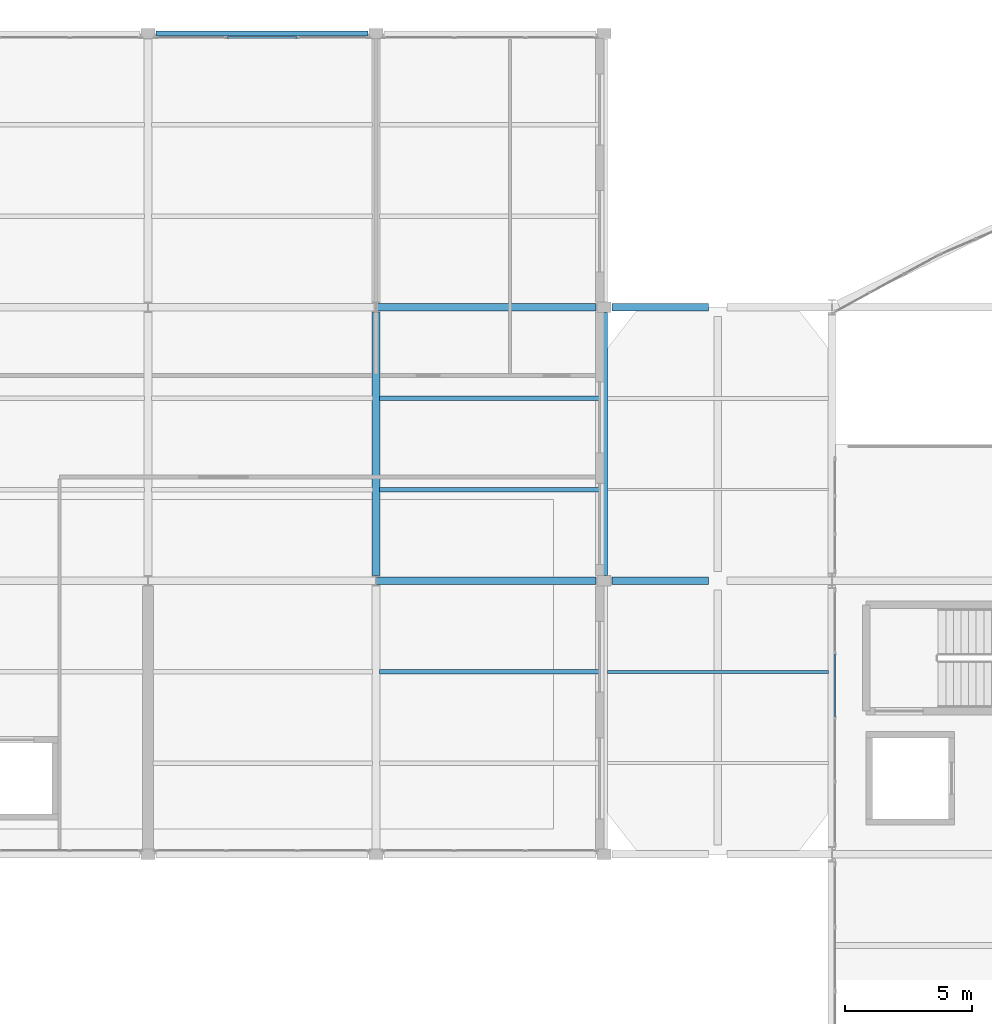
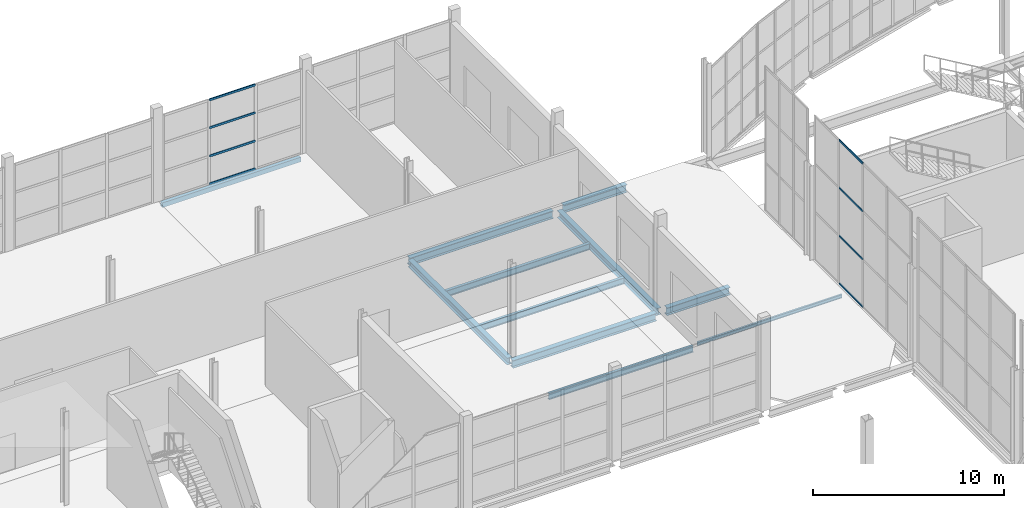
# One storey, part 93 of 191: 11 beams, 8 members, 2 elements without a shape of their own.
"""IFC4 building model written with IfcOpenShell, lengths in metres."""

from ifc_helpers import new_model, si_unit, direction, frame, origin, origin_2d, place, context, subcontext, project, spatial, hollow_rectangle, i_section, extrude, material, layer, layer_set, material_profile, profile_set, type_object, element, aggregate, save


model = new_model("IFC4")

# Units and contexts
model_context = context("Model", 3, precision=1e-05, world=origin(), true_north=direction((0.0, 1.0)))
body_context = subcontext(model_context, "Body", "Model", "MODEL_VIEW")
ifc_project = project(units=[si_unit("LENGTHUNIT", "METRE"), si_unit("AREAUNIT", "SQUARE_METRE"), si_unit("VOLUMEUNIT", "CUBIC_METRE"), si_unit("PLANEANGLEUNIT", "RADIAN"), si_unit("MASSUNIT", "GRAM", prefix="KILO")], contexts=[model_context])

# Site, building, storey
site_placement = place(None, origin())
site = spatial("IfcSite", under=ifc_project, at=site_placement, CompositionType="ELEMENT")
building_placement = place(site_placement, origin())
building = spatial("IfcBuilding", under=site, at=building_placement, Name="Tamarisk Ironworks Central Station", CompositionType="ELEMENT")
storey_placement = place(building_placement, frame((0.0, 0.0, 6.60009765625)))
storey = spatial("IfcBuildingStorey", under=building, at=storey_placement, Name="L01", CompositionType="ELEMENT", Elevation=6.60009765625)

# Beams
ifc_material_1 = material(Name="Structural steel S355J2", Category="steel")
ifc_material_profile_1 = material_profile(ifc_material_1, i_section(OverallWidth=0.179931640625, OverallDepth=0.39990234375, WebThickness=0.008544921875, FlangeThickness=0.013427734375, at=origin_2d()), Name="IPE 400")
ifc_profile_set_1 = profile_set([ifc_material_profile_1], Name="Structural steel S355J2")
beam_type_1 = type_object("IfcBeamType", Name="BM-B04", PredefinedType="BEAM", material=ifc_profile_set_1)
for number, where, z_axis, x_axis, name in (
    (1, (36.135009765625, 97.199951171875, -0.4501953125), (1.0, 0.0, 0.0), (0.0, 1.0, 0.0), "L01 secondary composite beam 0067"),
    (2, (36.135009765625, 104.39990234375, -0.4501953125), (1.0, 0.0, 0.0), (0.0, 1.0, 0.0), "L01 secondary composite beam 0068"),
    (3, (36.135009765625, 108.0, -0.4501953125), (1.0, 0.0, 0.0), (0.0, 1.0, 0.0), "L01 secondary composite beam 0069"),
):
    element("IfcBeam", number, at=place(storey_placement, frame(where, z_axis=z_axis, x_axis=x_axis)), inside=storey, type_object=beam_type_1, Name=name, PredefinedType="BEAM", context=body_context, shape_type="SweptSolid", body=[
        extrude(i_section(OverallWidth=0.179931640625, OverallDepth=0.39990234375, WebThickness=0.008544921875, FlangeThickness=0.013427734375, at=origin_2d()), origin(), (0.0, 0.0, 1.0), 8.72998046875),
    ])
ifc_material_profile_2 = material_profile(ifc_material_1, i_section(OverallWidth=0.300048828125, OverallDepth=0.489990234375, WebThickness=0.011962890625, FlangeThickness=0.02294921875, at=origin_2d()), Name="HEA 500")
ifc_profile_set_2 = profile_set([ifc_material_profile_2], Name="Structural steel S355J2")
beam_type_2 = type_object("IfcBeamType", Name="BM-G05", PredefinedType="BEAM", material=ifc_profile_set_2)
beam_1_placement = place(storey_placement, frame((36.00390625, 100.800048828125, -0.4951171875), z_axis=(1.0, 0.0, 0.0), x_axis=(0.0, 1.0, 0.0)))
element("IfcBeam", 4, at=beam_1_placement, inside=storey, type_object=beam_type_2, Name="L01 primary girder X-0113", PredefinedType="BEAM", context=body_context, shape_type="SweptSolid", body=[
    extrude(i_section(OverallWidth=0.300048828125, OverallDepth=0.489990234375, WebThickness=0.011962890625, FlangeThickness=0.02294921875, at=origin_2d()), origin(), (0.0, 0.0, 1.0), 8.68310546875),
])
beam_2_placement = place(storey_placement, frame((45.31298828125, 100.800048828125, -0.385009765625), z_axis=(1.0, 0.0, 0.0), x_axis=(0.0, 1.0, 0.0)))
element("IfcBeam", 5, at=beam_2_placement, inside=storey, type_object=beam_type_2, Name="L01 primary girder X-0114", PredefinedType="BEAM", context=body_context, shape_type="SweptSolid", body=[
    extrude(i_section(OverallWidth=0.300048828125, OverallDepth=0.489990234375, WebThickness=0.011962890625, FlangeThickness=0.02294921875, at=origin_2d()), origin(), (0.0, 0.0, 1.0), 3.823974609375),
])
beam_3_placement = place(storey_placement, frame((36.00390625, 111.60009765625, -0.4951171875), z_axis=(1.0, 0.0, 0.0), x_axis=(0.0, 1.0, 0.0)))
element("IfcBeam", 6, at=beam_3_placement, inside=storey, type_object=beam_type_2, Name="L01 primary girder X-0130", PredefinedType="BEAM", context=body_context, shape_type="SweptSolid", body=[
    extrude(i_section(OverallWidth=0.300048828125, OverallDepth=0.489990234375, WebThickness=0.011962890625, FlangeThickness=0.02294921875, at=origin_2d()), origin(), (0.0, 0.0, 1.0), 8.68310546875),
])
beam_4_placement = place(storey_placement, frame((45.31298828125, 111.60009765625, -0.385009765625), z_axis=(1.0, 0.0, 0.0), x_axis=(0.0, 1.0, 0.0)))
element("IfcBeam", 7, at=beam_4_placement, inside=storey, type_object=beam_type_2, Name="L01 primary girder X-0131", PredefinedType="BEAM", context=body_context, shape_type="SweptSolid", body=[
    extrude(i_section(OverallWidth=0.300048828125, OverallDepth=0.489990234375, WebThickness=0.011962890625, FlangeThickness=0.02294921875, at=origin_2d()), origin(), (0.0, 0.0, 1.0), 3.823974609375),
])
ifc_material_profile_3 = material_profile(ifc_material_1, i_section(OverallWidth=0.300048828125, OverallDepth=0.43994140625, WebThickness=0.011474609375, FlangeThickness=0.02099609375, at=origin_2d()), Name="HEA 450")
ifc_profile_set_3 = profile_set([ifc_material_profile_3], Name="Structural steel S355J2")
beam_type_3 = type_object("IfcBeamType", Name="BM-G06", PredefinedType="BEAM", material=ifc_profile_set_3)
for number, where, z_axis, x_axis, name in (
    (8, (36.0, 101.012939453125, -0.47021484375), (0.0, 1.0, 0.0), (-1.0, 0.0, 0.0), "L01 primary girder Y-0194"),
    (9, (45.0, 101.012939453125, -0.47021484375), (0.0, 1.0, 0.0), (-1.0, 0.0, 0.0), "L01 primary girder Y-0203"),
):
    element("IfcBeam", number, at=place(storey_placement, frame(where, z_axis=z_axis, x_axis=x_axis)), inside=storey, type_object=beam_type_3, Name=name, PredefinedType="BEAM", context=body_context, shape_type="SweptSolid", body=[
        extrude(i_section(OverallWidth=0.300048828125, OverallDepth=0.43994140625, WebThickness=0.011474609375, FlangeThickness=0.02099609375, at=origin_2d()), origin(), (0.0, 0.0, 1.0), 10.3740234375),
    ])
ifc_material_profile_4 = material_profile(ifc_material_1, i_section(OverallWidth=0.110107421875, OverallDepth=0.219970703125, WebThickness=0.005859375, FlangeThickness=0.00927734375, at=origin_2d()), Name="IPE 220")
ifc_profile_set_4 = profile_set([ifc_material_profile_4], Name="Structural steel S355J2")
beam_type_4 = type_object("IfcBeamType", Name="BM-J02", PredefinedType="JOIST", material=ifc_profile_set_4)
beam_5_placement = place(storey_placement, frame((45.135009765625, 97.199951171875, -0.25), z_axis=(1.0, 0.0, 0.0), x_axis=(0.0, 1.0, 0.0)))
element("IfcBeam", 10, at=beam_5_placement, inside=storey, type_object=beam_type_4, Name="Forecourt canopy framing beam 002", PredefinedType="JOIST", context=body_context, shape_type="SweptSolid", body=[
    extrude(i_section(OverallWidth=0.110107421875, OverallDepth=0.219970703125, WebThickness=0.005859375, FlangeThickness=0.00927734375, at=origin_2d()), origin(), (0.0, 0.0, 1.0), 8.72998046875),
])
ifc_material_profile_5 = material_profile(ifc_material_1, hollow_rectangle(XDim=0.199951171875, YDim=0.300048828125, WallThickness=0.011962890625, at=origin_2d()), Name="RHS 300x200x12")
ifc_profile_set_5 = profile_set([ifc_material_profile_5], Name="Structural steel S355J2")
beam_type_5 = type_object("IfcBeamType", Name="BM-SP02", PredefinedType="SPANDREL", material=ifc_profile_set_5)
beam_6_placement = place(storey_placement, frame((27.31298828125, 122.39990234375, -0.400146484375), z_axis=(1.0, 0.0, 0.0), x_axis=(0.0, 1.0, 0.0)))
element("IfcBeam", 11, at=beam_6_placement, inside=storey, type_object=beam_type_5, Name="L01 primary girder X-0146", PredefinedType="SPANDREL", context=body_context, shape_type="SweptSolid", body=[
    extrude(hollow_rectangle(XDim=0.199951171875, YDim=0.300048828125, WallThickness=0.011962890625, at=origin_2d()), origin(), (0.0, 0.0, 1.0), 8.3740234375),
])

# Curtain wall, members
ifc_material_2 = material(Name="Anodized aluminium alloy 6063-T6", Category="aluminium")
ifc_layer_1 = layer(ifc_material_2, 0.179931640625)
ifc_layer_set_1 = layer_set([ifc_layer_1], Name="Anodized aluminium alloy 6063-T6")
curtain_wall_type_1 = type_object("IfcCurtainWallType", Name="CW-13", PredefinedType="USERDEFINED", material=ifc_layer_set_1)
curtain_wall_1_placement = place(storey_placement, origin())
curtain_wall_1 = element("IfcCurtainWall", 12, at=curtain_wall_1_placement, inside=storey, type_object=curtain_wall_type_1, Name="Pavilion L01 N glazed arcade 27", ObjectType="GLAZED CURTAIN WALL", PredefinedType="USERDEFINED")
ifc_material_profile_6 = material_profile(ifc_material_2, hollow_rectangle(XDim=0.06494140625, YDim=0.135009765625, WallThickness=0.00341796875, at=origin_2d()), Name="ALUM 135x65")
ifc_profile_set_6 = profile_set([ifc_material_profile_6], Name="Anodized aluminium alloy 6063-T6")
member_type_1 = type_object("IfcMemberType", Name="CWT-02", PredefinedType="USERDEFINED", material=ifc_profile_set_6)
member_1_placement = place(storey_placement, frame((30.119384765625, 122.25, 0.032470703125), z_axis=(1.0, 0.0, 0.0), x_axis=(0.0, 1.0, 0.0)))
member_1 = element("IfcMember", 13, at=member_1_placement, type_object=member_type_1, Name="CW13 transom 2.1", ObjectType="TRANSOM", PredefinedType="USERDEFINED", context=body_context, shape_type="SweptSolid", body=[
    extrude(hollow_rectangle(XDim=0.06494140625, YDim=0.135009765625, WallThickness=0.00341796875, at=origin_2d()), origin(), (0.0, 0.0, 1.0), 2.76123046875),
])
member_2_placement = place(storey_placement, frame((30.119384765625, 122.25, 1.806640625), z_axis=(1.0, 0.0, 0.0), x_axis=(0.0, 1.0, 0.0)))
member_2 = element("IfcMember", 14, at=member_2_placement, type_object=member_type_1, Name="CW13 transom 2.2", ObjectType="TRANSOM", PredefinedType="USERDEFINED", context=body_context, shape_type="SweptSolid", body=[
    extrude(hollow_rectangle(XDim=0.06494140625, YDim=0.135009765625, WallThickness=0.00341796875, at=origin_2d()), origin(), (0.0, 0.0, 1.0), 2.76123046875),
])
member_3_placement = place(storey_placement, frame((30.119384765625, 122.25, 3.61328125), z_axis=(1.0, 0.0, 0.0), x_axis=(0.0, 1.0, 0.0)))
member_3 = element("IfcMember", 15, at=member_3_placement, type_object=member_type_1, Name="CW13 transom 2.3", ObjectType="TRANSOM", PredefinedType="USERDEFINED", context=body_context, shape_type="SweptSolid", body=[
    extrude(hollow_rectangle(XDim=0.06494140625, YDim=0.135009765625, WallThickness=0.00341796875, at=origin_2d()), origin(), (0.0, 0.0, 1.0), 2.76123046875),
])
member_4_placement = place(storey_placement, frame((30.119384765625, 122.25, 5.387451171875), z_axis=(1.0, 0.0, 0.0), x_axis=(0.0, 1.0, 0.0)))
member_4 = element("IfcMember", 16, at=member_4_placement, type_object=member_type_1, Name="CW13 transom 2.4", ObjectType="TRANSOM", PredefinedType="USERDEFINED", context=body_context, shape_type="SweptSolid", body=[
    extrude(hollow_rectangle(XDim=0.06494140625, YDim=0.135009765625, WallThickness=0.00341796875, at=origin_2d()), origin(), (0.0, 0.0, 1.0), 2.76123046875),
])
aggregate(curtain_wall_1, [member_1, member_2, member_3, member_4])

ifc_layer_2 = layer(ifc_material_2, 0.179931640625)
ifc_layer_set_2 = layer_set([ifc_layer_2], Name="Anodized aluminium alloy 6063-T6")
curtain_wall_type_2 = type_object("IfcCurtainWallType", Name="CW-08", PredefinedType="USERDEFINED", material=ifc_layer_set_2)
curtain_wall_2_placement = place(storey_placement, origin())
curtain_wall_2 = element("IfcCurtainWall", 17, at=curtain_wall_2_placement, inside=storey, type_object=curtain_wall_type_2, Name="Concourse W track-overlook curtain wall 07", ObjectType="GLAZED CURTAIN WALL", PredefinedType="USERDEFINED")
ifc_material_profile_7 = material_profile(ifc_material_2, hollow_rectangle(XDim=0.06005859375, YDim=0.114990234375, WallThickness=0.00341796875, at=origin_2d()), Name="ALUM 115x60")
ifc_profile_set_7 = profile_set([ifc_material_profile_7], Name="Anodized aluminium alloy 6063-T6")
member_type_2 = type_object("IfcMemberType", Name="CWT-03", PredefinedType="USERDEFINED", material=ifc_profile_set_7)
member_5_placement = place(storey_placement, frame((54.1201171875, 95.426025390625, 0.02978515625), z_axis=(0.0, 1.0, 0.0), x_axis=(-1.0, 0.0, 0.0)))
member_5 = element("IfcMember", 18, at=member_5_placement, type_object=member_type_2, Name="CW08 transom 3.1", ObjectType="TRANSOM", PredefinedType="USERDEFINED", context=body_context, shape_type="SweptSolid", body=[
    extrude(hollow_rectangle(XDim=0.06005859375, YDim=0.114990234375, WallThickness=0.00341796875, at=origin_2d()), origin(), (0.0, 0.0, 1.0), 2.472900390625),
])
member_6_placement = place(storey_placement, frame((54.1201171875, 95.426025390625, 3.0732421875), z_axis=(0.0, 1.0, 0.0), x_axis=(-1.0, 0.0, 0.0)))
member_6 = element("IfcMember", 19, at=member_6_placement, type_object=member_type_2, Name="CW08 transom 3.2", ObjectType="TRANSOM", PredefinedType="USERDEFINED", context=body_context, shape_type="SweptSolid", body=[
    extrude(hollow_rectangle(XDim=0.06005859375, YDim=0.114990234375, WallThickness=0.00341796875, at=origin_2d()), origin(), (0.0, 0.0, 1.0), 2.472900390625),
])
member_7_placement = place(storey_placement, frame((54.1201171875, 95.426025390625, 6.146484375), z_axis=(0.0, 1.0, 0.0), x_axis=(-1.0, 0.0, 0.0)))
member_7 = element("IfcMember", 20, at=member_7_placement, type_object=member_type_2, Name="CW08 transom 3.3", ObjectType="TRANSOM", PredefinedType="USERDEFINED", context=body_context, shape_type="SweptSolid", body=[
    extrude(hollow_rectangle(XDim=0.06005859375, YDim=0.114990234375, WallThickness=0.00341796875, at=origin_2d()), origin(), (0.0, 0.0, 1.0), 2.472900390625),
])
member_8_placement = place(storey_placement, frame((54.1201171875, 95.426025390625, 9.18994140625), z_axis=(0.0, 1.0, 0.0), x_axis=(-1.0, 0.0, 0.0)))
member_8 = element("IfcMember", 21, at=member_8_placement, type_object=member_type_2, Name="CW08 transom 3.4", ObjectType="TRANSOM", PredefinedType="USERDEFINED", context=body_context, shape_type="SweptSolid", body=[
    extrude(hollow_rectangle(XDim=0.06005859375, YDim=0.114990234375, WallThickness=0.00341796875, at=origin_2d()), origin(), (0.0, 0.0, 1.0), 2.472900390625),
])
aggregate(curtain_wall_2, [member_5, member_6, member_7, member_8])

save(model, "model.ifc")
